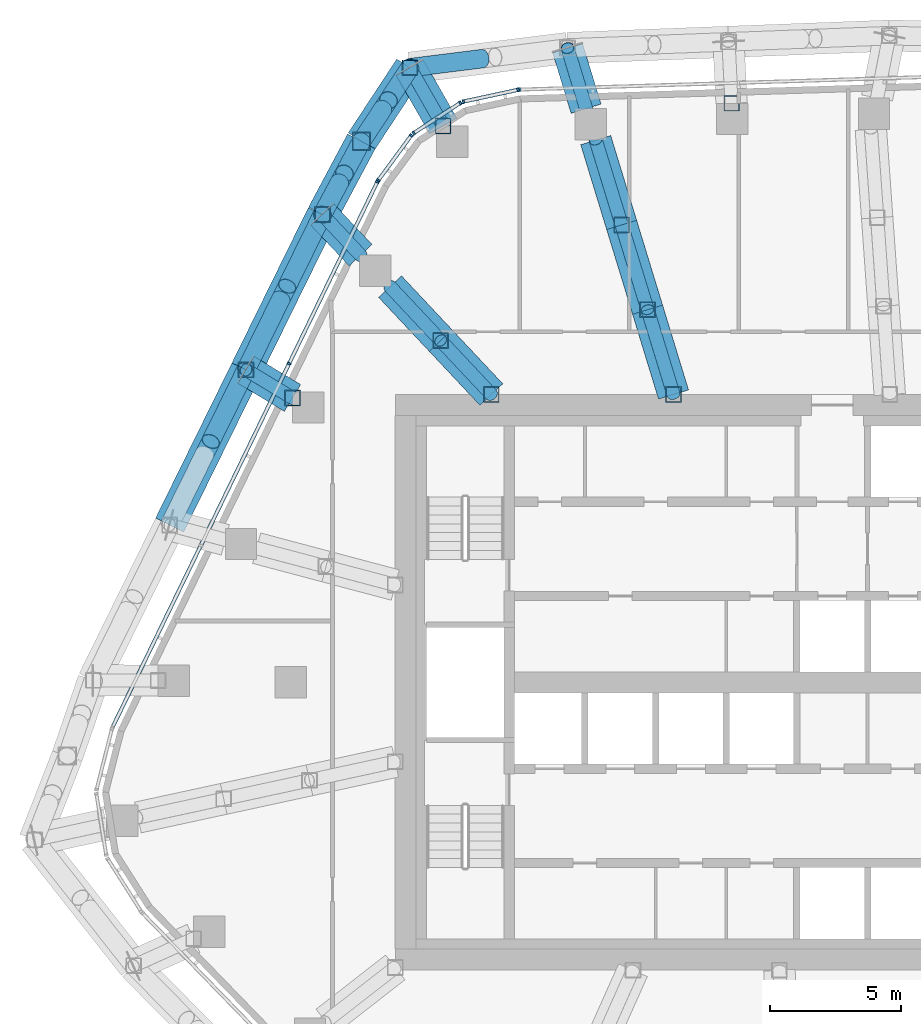
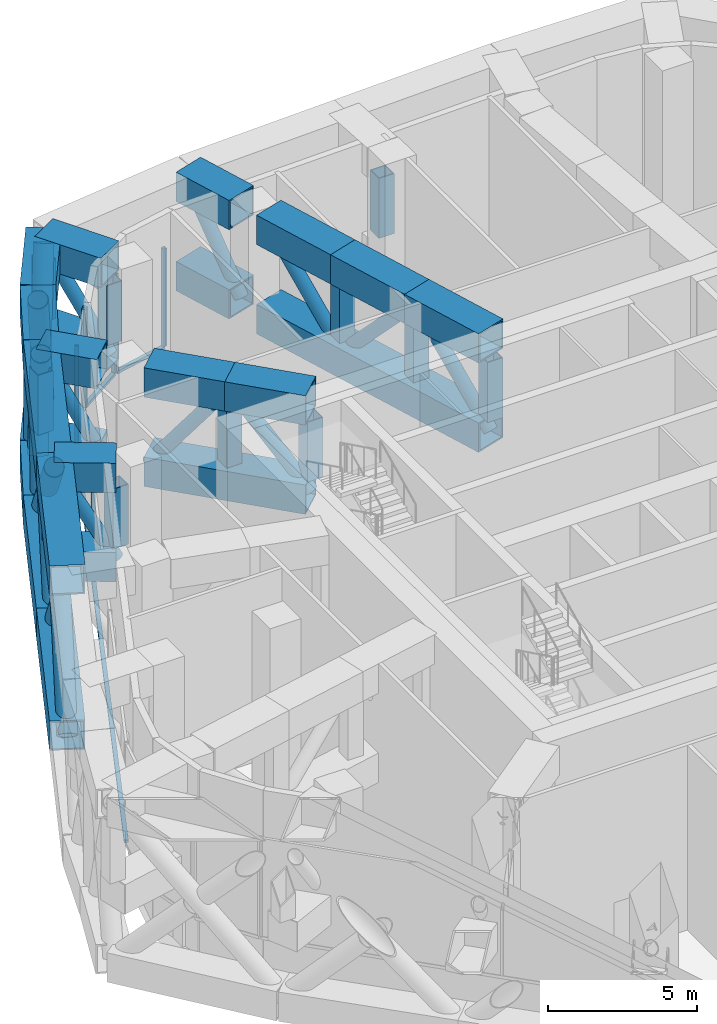
# One storey, part 7 of 21: 69 members, 3 elements without a shape of their own.
"""IFC4 building model written with IfcOpenShell, lengths in metres."""

from ifc_helpers import new_model, si_unit, direction, frame, origin, origin_2d, place, context, subcontext, project, spatial, rectangle, hollow_rectangle, hollow_circle, extrude, material, layer, layer_set, material_profile, profile_set, type_object, element, aggregate, save


model = new_model("IFC4")

# Units and contexts
model_context = context("Model", 3, precision=1e-05, world=origin(), true_north=direction((0.0, 1.0)))
body_context = subcontext(model_context, "Body", "Model", "MODEL_VIEW")
ifc_project = project(units=[si_unit("LENGTHUNIT", "METRE"), si_unit("AREAUNIT", "SQUARE_METRE"), si_unit("VOLUMEUNIT", "CUBIC_METRE"), si_unit("PLANEANGLEUNIT", "RADIAN"), si_unit("MASSUNIT", "GRAM", prefix="KILO")], contexts=[model_context])

# Site, building, storey
site_placement = place(None, origin())
site = spatial("IfcSite", under=ifc_project, at=site_placement, CompositionType="ELEMENT")
building_placement = place(site_placement, origin())
building = spatial("IfcBuilding", under=site, at=building_placement, Name="Dongbaek Canopy Tower", CompositionType="ELEMENT")
storey_placement = place(building_placement, frame((0.0, 0.0, 220.60009765625)))
storey = spatial("IfcBuildingStorey", under=building, at=storey_placement, Name="L46", CompositionType="ELEMENT", Elevation=220.60009765625)

# Members
ifc_material_1 = material(Name="Steel S355", Category="steel")
ifc_material_profile_1 = material_profile(ifc_material_1, hollow_circle(Radius=0.35546875, WallThickness=0.02001953125, at=origin_2d()), Name="BELT BRACE CHS 711.0x20.0 Steel S355")
ifc_profile_set_1 = profile_set([ifc_material_profile_1], Name="Steel S355")
member_type_1 = type_object("IfcMemberType", Name="BELT BRACE CHS 711.0x20.0 Steel S355", PredefinedType="BRACE", material=ifc_profile_set_1)
member_1_placement = place(storey_placement, frame((-22.62109375, 6.010986328125, 0.599853515625), z_axis=(0.318366983259, 0.64719973184, 0.692657903352), x_axis=(-0.89731041201, 0.44140007306, 0.0)))
element("IfcMember", 1, at=member_1_placement, inside=storey, type_object=member_type_1, Name="BELT:L46:10:D0:0", PredefinedType="BRACE", context=body_context, shape_type="SweptSolid", body=[
    extrude(hollow_circle(Radius=0.35546875, WallThickness=0.02001953125, at=origin_2d()), origin(), (0.0, 0.0, 1.0), 9.167724609375),
])
member_2_placement = place(storey_placement, frame((-19.702392578125, 11.9443359375, 0.599853515625), z_axis=(-0.318337535524, -0.647184309477, 0.692685847295), x_axis=(0.897322416913, -0.441375667777, 0.0)))
element("IfcMember", 2, at=member_2_placement, inside=storey, type_object=member_type_1, Name="BELT:L46:10:D0:1", PredefinedType="BRACE", context=body_context, shape_type="SweptSolid", body=[
    extrude(hollow_circle(Radius=0.35546875, WallThickness=0.02001953125, at=origin_2d()), origin(), (0.0, 0.0, 1.0), 4.22802734375),
])
member_3_placement = place(storey_placement, frame((-19.702392578125, 11.9443359375, 0.599853515625), z_axis=(0.318313633086, 0.647226180752, 0.692657709075), x_axis=(-0.897346849999, 0.441325991526, 0.0)))
element("IfcMember", 3, at=member_3_placement, inside=storey, type_object=member_type_1, Name="BELT:L46:11:D0:0", PredefinedType="BRACE", context=body_context, shape_type="SweptSolid", body=[
    extrude(hollow_circle(Radius=0.35546875, WallThickness=0.02001953125, at=origin_2d()), origin(), (0.0, 0.0, 1.0), 9.167724609375),
])
member_4_placement = place(storey_placement, frame((-16.7841796875, 17.8779296875, 0.599853515625), z_axis=(-0.318273747872, -0.647229760503, 0.692672692211), x_axis=(0.897369715509, -0.441279496109, 0.0)))
element("IfcMember", 4, at=member_4_placement, inside=storey, type_object=member_type_1, Name="BELT:L46:11:D0:1", PredefinedType="BRACE", context=body_context, shape_type="SweptSolid", body=[
    extrude(hollow_circle(Radius=0.35546875, WallThickness=0.02001953125, at=origin_2d()), origin(), (0.0, 0.0, 1.0), 4.22802734375),
])
member_5_placement = place(storey_placement, frame((-19.702392578125, 11.9443359375, 6.949951171875), z_axis=(0.318325639256, 0.647217865123, -0.692659961639), x_axis=(-0.897338012092, 0.441343961162, 0.0)))
element("IfcMember", 5, at=member_5_placement, inside=storey, type_object=member_type_1, Name="BELT:L46:11:D0:2", PredefinedType="BRACE", context=body_context, shape_type="SweptSolid", body=[
    extrude(hollow_circle(Radius=0.35546875, WallThickness=0.02001953125, at=origin_2d()), origin(), (0.0, 0.0, 1.0), 4.228271484375),
])
member_6_placement = place(storey_placement, frame((-16.7841796875, 17.8779296875, 0.599853515625), z_axis=(0.210208961175, 0.394103103941, 0.894703825914), x_axis=(-0.882333753904, 0.470624209663, 0.0)))
element("IfcMember", 6, at=member_6_placement, inside=storey, type_object=member_type_1, Name="BELT:L46:12:D0:0", PredefinedType="BRACE", context=body_context, shape_type="SweptSolid", body=[
    extrude(hollow_circle(Radius=0.35546875, WallThickness=0.02001953125, at=origin_2d()), origin(), (0.0, 0.0, 1.0), 7.097412109375),
])
for number, where, z_axis, x_axis, name in (
    (7, (-15.292236328125, 20.675048828125, 0.599853515625), (-0.210165579483, -0.394139116314, 0.894698153676), (0.882391934075, -0.470515116314, 0.0), "BELT:L46:12:D0:1"),
    (8, (-16.7841796875, 17.8779296875, 6.949951171875), (0.210247275349, 0.394066161429, -0.894711095061), (-0.882279807858, 0.470725334612, 0.0), "BELT:L46:12:D0:2"),
):
    element("IfcMember", number, at=place(storey_placement, frame(where, z_axis=z_axis, x_axis=x_axis)), inside=storey, type_object=member_type_1, Name=name, PredefinedType="BRACE", context=body_context, shape_type="SweptSolid", body=[
        extrude(hollow_circle(Radius=0.35546875, WallThickness=0.02001953125, at=origin_2d()), origin(), (0.0, 0.0, 1.0), 3.10400390625),
    ])
member_7_placement = place(storey_placement, frame((-15.292236328125, 20.675048828125, 0.599853515625), z_axis=(0.257337149785, 0.391694516098, 0.883375909452), x_axis=(-0.835766290987, 0.549085336583, 0.0)))
element("IfcMember", 9, at=member_7_placement, inside=storey, type_object=member_type_1, Name="BELT:L46:12:D1:0", PredefinedType="BRACE", context=body_context, shape_type="SweptSolid", body=[
    extrude(hollow_circle(Radius=0.35546875, WallThickness=0.02001953125, at=origin_2d()), origin(), (0.0, 0.0, 1.0), 7.1884765625),
])
for number, where, z_axis, x_axis, name in (
    (10, (-13.4423828125, 23.49072265625, 0.599853515625), (-0.257354837566, -0.391663822039, 0.883384365997), (0.835729222673, -0.54914175435, 0.0), "BELT:L46:12:D1:1"),
    (11, (-15.292236328125, 20.675048828125, 6.949951171875), (0.257347061227, 0.391729129769, -0.883357673294), (-0.835778851926, 0.54906621702, 0.0), "BELT:L46:12:D1:2"),
):
    element("IfcMember", number, at=place(storey_placement, frame(where, z_axis=z_axis, x_axis=x_axis)), inside=storey, type_object=member_type_1, Name=name, PredefinedType="BRACE", context=body_context, shape_type="SweptSolid", body=[
        extrude(hollow_circle(Radius=0.35546875, WallThickness=0.02001953125, at=origin_2d()), origin(), (0.0, 0.0, 1.0), 3.164794921875),
    ])
member_8_placement = place(storey_placement, frame((-13.4423828125, 23.49072265625, 6.949951171875), z_axis=(0.68588996704, 0.085615320286, -0.722651347502), x_axis=(-0.123862477211, 0.992299393701, 0.0)))
element("IfcMember", 12, at=member_8_placement, inside=storey, type_object=member_type_1, Name="BELT:L46:13:D0:2", PredefinedType="BRACE", context=body_context, shape_type="SweptSolid", body=[
    extrude(hollow_circle(Radius=0.35546875, WallThickness=0.02001953125, at=origin_2d()), origin(), (0.0, 0.0, 1.0), 4.037841796875),
])
ifc_material_2 = material(Name="Steel S355", Category="steel")
ifc_material_profile_2 = material_profile(ifc_material_2, hollow_rectangle(XDim=1.199951171875, YDim=1.199951171875, WallThickness=0.06005859375, at=origin_2d()), Name="BELT CHORD BOX 1200x1200x60 Steel S355")
ifc_profile_set_2 = profile_set([ifc_material_profile_2], Name="Steel S355")
member_type_2 = type_object("IfcMemberType", Name="BELT CHORD BOX 1200x1200x60 Steel S355", PredefinedType="CHORD", material=ifc_profile_set_2)
for number, where, z_axis, x_axis, name in (
    (13, (-22.62109375, 6.010986328125, 0.599853515625), (0.44140007306, 0.89731041201, 0.0), (-0.89731041201, 0.44140007306, 0.0), "BELT:L46:10:CB0"),
    (14, (-22.62109375, 6.010986328125, 6.949951171875), (0.44140007306, 0.89731041201, 0.0), (-0.89731041201, 0.44140007306, 0.0), "BELT:L46:10:CT0"),
    (15, (-19.702392578125, 11.9443359375, 0.599853515625), (0.441325991526, 0.897346849999, 0.0), (-0.897346849999, 0.441325991526, 0.0), "BELT:L46:11:CB0"),
    (16, (-19.702392578125, 11.9443359375, 6.949951171875), (0.441325991526, 0.897346849999, 0.0), (-0.897346849999, 0.441325991526, 0.0), "BELT:L46:11:CT0"),
):
    element("IfcMember", number, at=place(storey_placement, frame(where, z_axis=z_axis, x_axis=x_axis)), inside=storey, type_object=member_type_2, Name=name, PredefinedType="CHORD", context=body_context, shape_type="SweptSolid", body=[
        extrude(hollow_rectangle(XDim=1.199951171875, YDim=1.199951171875, WallThickness=0.06005859375, at=origin_2d()), origin(), (0.0, 0.0, 1.0), 6.6123046875),
    ])
for number, where, z_axis, x_axis, name in (
    (17, (-16.7841796875, 17.8779296875, 0.599853515625), (0.470624209663, 0.882333753904, 0.0), (-0.882333753904, 0.470624209663, 0.0), "BELT:L46:12:CB0"),
    (18, (-16.7841796875, 17.8779296875, 6.949951171875), (0.470624209663, 0.882333753904, 0.0), (-0.882333753904, 0.470624209663, 0.0), "BELT:L46:12:CT0"),
):
    element("IfcMember", number, at=place(storey_placement, frame(where, z_axis=z_axis, x_axis=x_axis)), inside=storey, type_object=member_type_2, Name=name, PredefinedType="CHORD", context=body_context, shape_type="SweptSolid", body=[
        extrude(hollow_rectangle(XDim=1.199951171875, YDim=1.199951171875, WallThickness=0.06005859375, at=origin_2d()), origin(), (0.0, 0.0, 1.0), 3.170166015625),
    ])
for number, where, z_axis, x_axis, name in (
    (19, (-15.292236328125, 20.675048828125, 0.599853515625), (0.549085336583, 0.835766290987, 0.0), (-0.835766290987, 0.549085336583, 0.0), "BELT:L46:12:CB1"),
    (20, (-15.292236328125, 20.675048828125, 6.949951171875), (0.549085336583, 0.835766290987, 0.0), (-0.835766290987, 0.549085336583, 0.0), "BELT:L46:12:CT1"),
):
    element("IfcMember", number, at=place(storey_placement, frame(where, z_axis=z_axis, x_axis=x_axis)), inside=storey, type_object=member_type_2, Name=name, PredefinedType="CHORD", context=body_context, shape_type="SweptSolid", body=[
        extrude(hollow_rectangle(XDim=1.199951171875, YDim=1.199951171875, WallThickness=0.06005859375, at=origin_2d()), origin(), (0.0, 0.0, 1.0), 3.368896484375),
    ])
ifc_material_3 = material(Name="Steel S355", Category="steel")
ifc_material_profile_3 = material_profile(ifc_material_3, hollow_rectangle(XDim=0.699951171875, YDim=0.699951171875, WallThickness=0.035888671875, at=origin_2d()), Name="BELT POST BOX 700x700x36 Steel S355")
ifc_profile_set_3 = profile_set([ifc_material_profile_3], Name="Steel S355")
member_type_3 = type_object("IfcMemberType", Name="BELT POST BOX 700x700x36 Steel S355", PredefinedType="POST", material=ifc_profile_set_3)
member_9_placement = place(storey_placement, frame((-15.292236328125, 20.675048828125, 1.199951171875), z_axis=(0.0, 0.0, 1.0), x_axis=(1.0, 0.0, 0.0)))
element("IfcMember", 21, at=member_9_placement, inside=storey, type_object=member_type_3, Name="BELT:L46:12:P1", PredefinedType="POST", context=body_context, shape_type="SweptSolid", body=[
    extrude(hollow_rectangle(XDim=0.699951171875, YDim=0.699951171875, WallThickness=0.035888671875, at=origin_2d()), origin(), (0.0, 0.0, 1.0), 5.14990234375),
])
ifc_material_4 = material(Name="Steel S355", Category="steel")
ifc_material_profile_4 = material_profile(ifc_material_4, hollow_circle(Radius=0.25390625, WallThickness=0.01611328125, at=origin_2d()), Name="BRACE CHS 508.0x16.0 Steel S355")
ifc_profile_set_4 = profile_set([ifc_material_profile_4], Name="Steel S355")
member_type_4 = type_object("IfcMemberType", Name="BRACE CHS 508.0x16.0 Steel S355", PredefinedType="BRACE", material=ifc_profile_set_4)
member_10_placement = place(storey_placement, frame((-17.927978515625, 10.86865234375, 3.2998046875), z_axis=(-0.422608810918, 0.256193508655, 0.869348422129), x_axis=(-0.518400801287, -0.855137772073, 0.0)))
element("IfcMember", 22, at=member_10_placement, inside=storey, type_object=member_type_4, Name="TRUSS:L46:11:D0", PredefinedType="BRACE", context=body_context, shape_type="SweptSolid", body=[
    extrude(hollow_circle(Radius=0.25390625, WallThickness=0.01611328125, at=origin_2d()), origin(), (0.0, 0.0, 1.0), 4.19873046875),
])
member_11_placement = place(storey_placement, frame((-12.166259765625, 21.260986328125, 3.2998046875), z_axis=(-0.285895056172, 0.499536932852, 0.817757219212), x_axis=(-0.867909609925, -0.496722164796, 0.0)))
element("IfcMember", 23, at=member_11_placement, inside=storey, type_object=member_type_4, Name="TRUSS:L46:13:D0", PredefinedType="BRACE", context=body_context, shape_type="SweptSolid", body=[
    extrude(hollow_circle(Radius=0.25390625, WallThickness=0.01611328125, at=origin_2d()), origin(), (0.0, 0.0, 1.0), 4.463623046875),
])
ifc_material_5 = material(Name="Steel S355", Category="steel")
ifc_material_profile_5 = material_profile(ifc_material_5, hollow_rectangle(XDim=1.199951171875, YDim=1.199951171875, WallThickness=0.06005859375, at=origin_2d()), Name="CHORD BOX 1200x1200x60 Steel S355")
ifc_profile_set_5 = profile_set([ifc_material_profile_5], Name="Steel S355")
member_type_5 = type_object("IfcMemberType", Name="CHORD BOX 1200x1200x60 Steel S355", PredefinedType="CHORD", material=ifc_profile_set_5)
for number, where, z_axis, x_axis, name in (
    (24, (-17.927978515625, 10.86865234375, 3.2998046875), (-0.855137772073, 0.518400801287, 0.0), (-0.518400801287, -0.855137772073, 0.0), "TRUSS:L46:11:CB"),
    (25, (-17.927978515625, 10.86865234375, 6.949951171875), (-0.855137772073, 0.518400801287, 0.0), (-0.518400801287, -0.855137772073, 0.0), "TRUSS:L46:11:CT0"),
):
    element("IfcMember", number, at=place(storey_placement, frame(where, z_axis=z_axis, x_axis=x_axis)), inside=storey, type_object=member_type_5, Name=name, PredefinedType="CHORD", context=body_context, shape_type="SweptSolid", body=[
        extrude(hollow_rectangle(XDim=1.199951171875, YDim=1.199951171875, WallThickness=0.06005859375, at=origin_2d()), origin(), (0.0, 0.0, 1.0), 2.074951171875),
    ])
for number, where, z_axis, x_axis, name in (
    (26, (-12.166259765625, 21.260986328125, 3.2998046875), (-0.496722164796, 0.867909609925, 0.0), (-0.867909609925, -0.496722164796, 0.0), "TRUSS:L46:13:CB"),
    (27, (-12.166259765625, 21.260986328125, 6.949951171875), (-0.496722164796, 0.867909609925, 0.0), (-0.867909609925, -0.496722164796, 0.0), "TRUSS:L46:13:CT0"),
):
    element("IfcMember", number, at=place(storey_placement, frame(where, z_axis=z_axis, x_axis=x_axis)), inside=storey, type_object=member_type_5, Name=name, PredefinedType="CHORD", context=body_context, shape_type="SweptSolid", body=[
        extrude(hollow_rectangle(XDim=1.199951171875, YDim=1.199951171875, WallThickness=0.06005859375, at=origin_2d()), origin(), (0.0, 0.0, 1.0), 2.569091796875),
    ])

# Curtain wall, member
ifc_material_6 = material(Name="Aluminium 6063-T6 pale anodised", Category="aluminium")
ifc_layer = layer(ifc_material_6, 0.14990234375)
ifc_layer_set = layer_set([ifc_layer], Name="CW-7 louvre curtain wall")
curtain_wall_type = type_object("IfcCurtainWallType", Name="CW-7 louvre curtain wall", PredefinedType="NOTDEFINED", material=ifc_layer_set)
curtain_wall_1_placement = place(storey_placement, origin())
curtain_wall_1 = element("IfcCurtainWall", 28, at=curtain_wall_1_placement, inside=storey, type_object=curtain_wall_type, Name="CW-7 louvre wall L46 F1", PredefinedType="NOTDEFINED")
ifc_material_7 = material(Name="Aluminium 6063-T6 pale anodised", Category="aluminium")
ifc_material_profile_6 = material_profile(ifc_material_7, rectangle(XDim=0.14990234375, YDim=0.080078125, at=origin_2d()), Name="CW-7 mullion 80 x 150")
ifc_profile_set_6 = profile_set([ifc_material_profile_6], Name="Aluminium 6063-T6 pale anodised")
member_type_6 = type_object("IfcMemberType", Name="CW-7 mullion 80 x 150", PredefinedType="MULLION", material=ifc_profile_set_6)
member_12_placement = place(storey_placement, frame((-9.241943359375, 22.654052734375, 1.77490234375), z_axis=(0.0, 0.0, 1.0), x_axis=(-0.030965102792, 0.999520466228, 0.0)))
member_12 = element("IfcMember", 29, at=member_12_placement, type_object=member_type_6, Name="CW-7 mullion L46 F1.1.3", PredefinedType="MULLION", context=body_context, shape_type="SweptSolid", body=[
    extrude(rectangle(XDim=0.14990234375, YDim=0.080078125, at=origin_2d()), origin(), (0.0, 0.0, 1.0), 4.0),
])
aggregate(curtain_wall_1, [member_12])

# Curtain wall, members
curtain_wall_2_placement = place(storey_placement, origin())
curtain_wall_2 = element("IfcCurtainWall", 30, at=curtain_wall_2_placement, inside=storey, type_object=curtain_wall_type, Name="CW-7 louvre wall L46 K2", PredefinedType="NOTDEFINED")
member_13_placement = place(storey_placement, frame((-9.3046875, 22.646484375, 1.77490234375), z_axis=(0.0, 0.0, 1.0), x_axis=(-0.210683536046, 0.977554319534, 0.0)))
member_13 = element("IfcMember", 31, at=member_13_placement, type_object=member_type_6, Name="CW-7 mullion L46 K2.1.1", PredefinedType="MULLION", context=body_context, shape_type="SweptSolid", body=[
    extrude(rectangle(XDim=0.14990234375, YDim=0.080078125, at=origin_2d()), origin(), (0.0, 0.0, 1.0), 4.0),
])
member_14_placement = place(storey_placement, frame((-11.39306640625, 22.1962890625, 1.77490234375), z_axis=(0.0, 0.0, 1.0), x_axis=(-0.210683536046, 0.977554319534, 0.0)))
member_14 = element("IfcMember", 32, at=member_14_placement, type_object=member_type_6, Name="CW-7 mullion L46 K2.1.2", PredefinedType="MULLION", context=body_context, shape_type="SweptSolid", body=[
    extrude(rectangle(XDim=0.14990234375, YDim=0.080078125, at=origin_2d()), origin(), (0.0, 0.0, 1.0), 4.0),
])
member_15_placement = place(storey_placement, frame((-11.509765625, 22.14794921875, 1.77490234375), z_axis=(0.0, 0.0, 1.0), x_axis=(-0.543736019831, 0.839256302174, 0.0)))
member_15 = element("IfcMember", 33, at=member_15_placement, type_object=member_type_6, Name="CW-7 mullion L46 K2.2.1", PredefinedType="MULLION", context=body_context, shape_type="SweptSolid", body=[
    extrude(rectangle(XDim=0.14990234375, YDim=0.080078125, at=origin_2d()), origin(), (0.0, 0.0, 1.0), 4.0),
])
member_16_placement = place(storey_placement, frame((-13.294921875, 20.991455078125, 1.77490234375), z_axis=(0.0, 0.0, 1.0), x_axis=(-0.543736019831, 0.839256302174, 0.0)))
member_16 = element("IfcMember", 34, at=member_16_placement, type_object=member_type_6, Name="CW-7 mullion L46 K2.2.2", PredefinedType="MULLION", context=body_context, shape_type="SweptSolid", body=[
    extrude(rectangle(XDim=0.14990234375, YDim=0.080078125, at=origin_2d()), origin(), (0.0, 0.0, 1.0), 4.0),
])
member_17_placement = place(storey_placement, frame((-13.38671875, 20.90478515625, 1.77490234375), z_axis=(0.0, 0.0, 1.0), x_axis=(-0.806075471898, 0.591812752147, 0.0)))
member_17 = element("IfcMember", 35, at=member_17_placement, type_object=member_type_6, Name="CW-7 mullion L46 K2.3.1", PredefinedType="MULLION", context=body_context, shape_type="SweptSolid", body=[
    extrude(rectangle(XDim=0.14990234375, YDim=0.080078125, at=origin_2d()), origin(), (0.0, 0.0, 1.0), 4.0),
])
member_18_placement = place(storey_placement, frame((-14.651123046875, 19.1826171875, 1.77490234375), z_axis=(0.0, 0.0, 1.0), x_axis=(-0.806075471898, 0.591812752147, 0.0)))
member_18 = element("IfcMember", 36, at=member_18_placement, type_object=member_type_6, Name="CW-7 mullion L46 K2.3.2", PredefinedType="MULLION", context=body_context, shape_type="SweptSolid", body=[
    extrude(rectangle(XDim=0.14990234375, YDim=0.080078125, at=origin_2d()), origin(), (0.0, 0.0, 1.0), 4.0),
])

curtain_wall_3_placement = place(storey_placement, origin())
curtain_wall_3 = element("IfcCurtainWall", 37, at=curtain_wall_3_placement, inside=storey, type_object=curtain_wall_type, Name="CW-7 louvre wall L46 F2", PredefinedType="NOTDEFINED")
member_19_placement = place(storey_placement, frame((-14.683837890625, 19.12841796875, 1.77490234375), z_axis=(0.0, 0.0, 1.0), x_axis=(-0.899574599552, 0.436767146018, 0.0)))
member_19 = element("IfcMember", 38, at=member_19_placement, type_object=member_type_6, Name="CW-7 mullion L46 F2.1.1", PredefinedType="MULLION", context=body_context, shape_type="SweptSolid", body=[
    extrude(rectangle(XDim=0.14990234375, YDim=0.080078125, at=origin_2d()), origin(), (0.0, 0.0, 1.0), 4.0),
])
member_20_placement = place(storey_placement, frame((-18.05712890625, 12.180419921875, 1.77490234375), z_axis=(0.0, 0.0, 1.0), x_axis=(-0.899574599552, 0.436767146018, 0.0)))
member_20 = element("IfcMember", 39, at=member_20_placement, type_object=member_type_6, Name="CW-7 mullion L46 F2.1.2", PredefinedType="MULLION", context=body_context, shape_type="SweptSolid", body=[
    extrude(rectangle(XDim=0.14990234375, YDim=0.080078125, at=origin_2d()), origin(), (0.0, 0.0, 1.0), 4.0),
])

# Member
ifc_material_8 = material(Name="Aluminium 6063-T6 pale anodised", Category="aluminium")
ifc_material_profile_7 = material_profile(ifc_material_8, rectangle(XDim=0.14990234375, YDim=0.1201171875, at=origin_2d()), Name="CW-7 transom 120 x 150")
ifc_profile_set_7 = profile_set([ifc_material_profile_7], Name="Aluminium 6063-T6 pale anodised")
member_type_7 = type_object("IfcMemberType", Name="CW-7 transom 120 x 150", PredefinedType="USERDEFINED", material=ifc_profile_set_7)
member_21_placement = place(storey_placement, frame((-9.3046875, 22.646484375, 1.71484375), z_axis=(-0.977544129164, -0.210730812974, 0.0), x_axis=(0.210730812974, -0.977544129164, 0.0)))
member_21 = element("IfcMember", 40, at=member_21_placement, type_object=member_type_7, Name="CW-7 transom L46 K2.1", ObjectType="TRANSOM", PredefinedType="USERDEFINED", context=body_context, shape_type="SweptSolid", body=[
    extrude(rectangle(XDim=0.14990234375, YDim=0.1201171875, at=origin_2d()), origin(), (0.0, 0.0, 1.0), 2.136474609375),
])

member_22_placement = place(storey_placement, frame((-11.509765625, 22.14794921875, 1.71484375), z_axis=(-0.839271322298, -0.543712835575, 0.0), x_axis=(0.543712835575, -0.839271322298, 0.0)))
member_22 = element("IfcMember", 41, at=member_22_placement, type_object=member_type_7, Name="CW-7 transom L46 K2.2", ObjectType="TRANSOM", PredefinedType="USERDEFINED", context=body_context, shape_type="SweptSolid", body=[
    extrude(rectangle(XDim=0.14990234375, YDim=0.1201171875, at=origin_2d()), origin(), (0.0, 0.0, 1.0), 2.126953125),
])

member_23_placement = place(storey_placement, frame((-13.38671875, 20.90478515625, 1.71484375), z_axis=(-0.591814383936, -0.806074273853, 0.0), x_axis=(0.806074273853, -0.591814383936, 0.0)))
member_23 = element("IfcMember", 42, at=member_23_placement, type_object=member_type_7, Name="CW-7 transom L46 K2.3", ObjectType="TRANSOM", PredefinedType="USERDEFINED", context=body_context, shape_type="SweptSolid", body=[
    extrude(rectangle(XDim=0.14990234375, YDim=0.1201171875, at=origin_2d()), origin(), (0.0, 0.0, 1.0), 2.136474609375),
])

aggregate(curtain_wall_2, [member_21, member_13, member_14, member_22, member_15, member_16, member_23, member_17, member_18])

member_24_placement = place(storey_placement, frame((-14.683837890625, 19.12841796875, 1.71484375), z_axis=(-0.436764875806, -0.899575701796, 0.0), x_axis=(0.899575701796, -0.436764875806, 0.0)))
member_24 = element("IfcMember", 43, at=member_24_placement, type_object=member_type_7, Name="CW-7 transom L46 F2.1", ObjectType="TRANSOM", PredefinedType="USERDEFINED", context=body_context, shape_type="SweptSolid", body=[
    extrude(rectangle(XDim=0.14990234375, YDim=0.1201171875, at=origin_2d()), origin(), (0.0, 0.0, 1.0), 23.171142578125),
])

aggregate(curtain_wall_3, [member_24, member_19, member_20])

# Members
ifc_material_9 = material(Name="Steel S355", Category="steel")
ifc_material_profile_8 = material_profile(ifc_material_9, hollow_circle(Radius=0.25390625, WallThickness=0.01611328125, at=origin_2d()), Name="OUTRIGGER BRACE CHS 508.0x16.0 Steel S355")
ifc_profile_set_8 = profile_set([ifc_material_profile_8], Name="Steel S355")
member_type_8 = type_object("IfcMemberType", Name="OUTRIGGER BRACE CHS 508.0x16.0 Steel S355", PredefinedType="BRACE", material=ifc_profile_set_8)
for number, where, z_axis, x_axis, name in (
    (44, (-10.326904296875, 11.0, 3.2998046875), (-0.419258639232, 0.44653952925, 0.790458501281), (-0.729025563972, -0.684486469607, 0.0), "TRUSS:L46:12:D0"),
    (45, (-12.262939453125, 13.06201171875, 6.949951171875), (-0.419215061203, 0.44654942703, -0.790476022204), (-0.729068637497, -0.684440590423, 0.0), "TRUSS:L46:12:D1"),
):
    element("IfcMember", number, at=place(storey_placement, frame(where, z_axis=z_axis, x_axis=x_axis)), inside=storey, type_object=member_type_8, Name=name, PredefinedType="BRACE", context=body_context, shape_type="SweptSolid", body=[
        extrude(hollow_circle(Radius=0.25390625, WallThickness=0.01611328125, at=origin_2d()), origin(), (0.0, 0.0, 1.0), 4.61767578125),
    ])
member_25_placement = place(storey_placement, frame((-15.3251953125, 16.323974609375, 3.2998046875), z_axis=(-0.345163648707, 0.367631630526, 0.863544463156), x_axis=(-0.729033373211, -0.684478152131, 0.0)))
element("IfcMember", 46, at=member_25_placement, inside=storey, type_object=member_type_8, Name="TRUSS:L46:12s:D0", PredefinedType="BRACE", context=body_context, shape_type="SweptSolid", body=[
    extrude(hollow_circle(Radius=0.25390625, WallThickness=0.01611328125, at=origin_2d()), origin(), (0.0, 0.0, 1.0), 4.22705078125),
])
for number, where, z_axis, x_axis, name in (
    (47, (-3.364501953125, 11.0, 3.2998046875), (-0.199047165846, 0.650665138293, 0.7328131437), (-0.956255897691, -0.292531465199, 0.0), "TRUSS:L46:14:D0"),
    (48, (-4.35595703125, 14.240966796875, 6.949951171875), (-0.199000092771, 0.650671485599, -0.732820292368), (-0.956276046369, -0.292465593089, 0.0), "TRUSS:L46:14:D1"),
    (49, (-5.34716796875, 17.48193359375, 3.2998046875), (-0.199000092771, 0.650671485599, 0.732820292368), (-0.956276046369, -0.292465593089, 0.0), "TRUSS:L46:14:D2"),
):
    element("IfcMember", number, at=place(storey_placement, frame(where, z_axis=z_axis, x_axis=x_axis)), inside=storey, type_object=member_type_8, Name=name, PredefinedType="BRACE", context=body_context, shape_type="SweptSolid", body=[
        extrude(hollow_circle(Radius=0.25390625, WallThickness=0.01611328125, at=origin_2d()), origin(), (0.0, 0.0, 1.0), 4.98095703125),
    ])
member_26_placement = place(storey_placement, frame((-6.70556640625, 21.923095703125, 3.2998046875), z_axis=(-0.161878390271, 0.529307799157, 0.832843707135), x_axis=(-0.956278103015, -0.292458868381, 0.0)))
element("IfcMember", 50, at=member_26_placement, inside=storey, type_object=member_type_8, Name="TRUSS:L46:14s:D0", PredefinedType="BRACE", context=body_context, shape_type="SweptSolid", body=[
    extrude(hollow_circle(Radius=0.25390625, WallThickness=0.01611328125, at=origin_2d()), origin(), (0.0, 0.0, 1.0), 4.3828125),
])
ifc_material_10 = material(Name="Steel S355", Category="steel")
ifc_material_profile_9 = material_profile(ifc_material_10, hollow_rectangle(XDim=1.199951171875, YDim=1.199951171875, WallThickness=0.06005859375, at=origin_2d()), Name="OUTRIGGER CHORD BOX 1200x1200x60 Steel S355")
ifc_profile_set_9 = profile_set([ifc_material_profile_9], Name="Steel S355")
member_type_9 = type_object("IfcMemberType", Name="OUTRIGGER CHORD BOX 1200x1200x60 Steel S355", PredefinedType="CHORD", material=ifc_profile_set_9)
member_27_placement = place(storey_placement, frame((-10.326904296875, 11.0, 3.2998046875), z_axis=(-0.684463531031, 0.729047100459, 0.0), x_axis=(-0.729047100459, -0.684463531031, 0.0)))
element("IfcMember", 51, at=member_27_placement, inside=storey, type_object=member_type_9, Name="TRUSS:L46:12:CB", PredefinedType="CHORD", context=body_context, shape_type="SweptSolid", body=[
    extrude(hollow_rectangle(XDim=1.199951171875, YDim=1.199951171875, WallThickness=0.06005859375, at=origin_2d()), origin(), (0.0, 0.0, 1.0), 5.65673828125),
])
for number, where, z_axis, x_axis, name in (
    (52, (-10.326904296875, 11.0, 6.949951171875), (-0.684486469607, 0.729025563972, 0.0), (-0.729025563972, -0.684486469607, 0.0), "TRUSS:L46:12:CT0"),
    (53, (-12.262939453125, 13.06201171875, 6.949951171875), (-0.684440590423, 0.729068637497, 0.0), (-0.729068637497, -0.684440590423, 0.0), "TRUSS:L46:12:CT1"),
):
    element("IfcMember", number, at=place(storey_placement, frame(where, z_axis=z_axis, x_axis=x_axis)), inside=storey, type_object=member_type_9, Name=name, PredefinedType="CHORD", context=body_context, shape_type="SweptSolid", body=[
        extrude(hollow_rectangle(XDim=1.199951171875, YDim=1.199951171875, WallThickness=0.06005859375, at=origin_2d()), origin(), (0.0, 0.0, 1.0), 2.828369140625),
    ])
for number, where, z_axis, x_axis, name in (
    (54, (-15.3251953125, 16.323974609375, 3.2998046875), (-0.684478152131, 0.729033373211, 0.0), (-0.729033373211, -0.684478152131, 0.0), "TRUSS:L46:12s:CB"),
    (55, (-15.3251953125, 16.323974609375, 6.949951171875), (-0.684478152131, 0.729033373211, 0.0), (-0.729033373211, -0.684478152131, 0.0), "TRUSS:L46:12s:CT0"),
):
    element("IfcMember", number, at=place(storey_placement, frame(where, z_axis=z_axis, x_axis=x_axis)), inside=storey, type_object=member_type_9, Name=name, PredefinedType="CHORD", context=body_context, shape_type="SweptSolid", body=[
        extrude(hollow_rectangle(XDim=1.199951171875, YDim=1.199951171875, WallThickness=0.06005859375, at=origin_2d()), origin(), (0.0, 0.0, 1.0), 2.131591796875),
    ])
member_28_placement = place(storey_placement, frame((-3.364501953125, 11.0, 3.2998046875), z_axis=(-0.292487550922, 0.956269330553, 0.0), x_axis=(-0.956269330553, -0.292487550922, 0.0)))
element("IfcMember", 56, at=member_28_placement, inside=storey, type_object=member_type_9, Name="TRUSS:L46:14:CB", PredefinedType="CHORD", context=body_context, shape_type="SweptSolid", body=[
    extrude(hollow_rectangle(XDim=1.199951171875, YDim=1.199951171875, WallThickness=0.06005859375, at=origin_2d()), origin(), (0.0, 0.0, 1.0), 10.16748046875),
])
for number, where, z_axis, x_axis, name in (
    (57, (-3.364501953125, 11.0, 6.949951171875), (-0.292531465199, 0.956255897691, 0.0), (-0.956255897691, -0.292531465199, 0.0), "TRUSS:L46:14:CT0"),
    (58, (-4.35595703125, 14.240966796875, 6.949951171875), (-0.292465593089, 0.956276046369, 0.0), (-0.956276046369, -0.292465593089, 0.0), "TRUSS:L46:14:CT1"),
    (59, (-5.34716796875, 17.48193359375, 6.949951171875), (-0.292465593089, 0.956276046369, 0.0), (-0.956276046369, -0.292465593089, 0.0), "TRUSS:L46:14:CT2"),
):
    element("IfcMember", number, at=place(storey_placement, frame(where, z_axis=z_axis, x_axis=x_axis)), inside=storey, type_object=member_type_9, Name=name, PredefinedType="CHORD", context=body_context, shape_type="SweptSolid", body=[
        extrude(hollow_rectangle(XDim=1.199951171875, YDim=1.199951171875, WallThickness=0.06005859375, at=origin_2d()), origin(), (0.0, 0.0, 1.0), 3.38916015625),
    ])
for number, where, z_axis, x_axis, name in (
    (60, (-6.70556640625, 21.923095703125, 3.2998046875), (-0.292458868381, 0.956278103015, 0.0), (-0.956278103015, -0.292458868381, 0.0), "TRUSS:L46:14s:CB"),
    (61, (-6.70556640625, 21.923095703125, 6.949951171875), (-0.292458868381, 0.956278103015, 0.0), (-0.956278103015, -0.292458868381, 0.0), "TRUSS:L46:14s:CT0"),
):
    element("IfcMember", number, at=place(storey_placement, frame(where, z_axis=z_axis, x_axis=x_axis)), inside=storey, type_object=member_type_9, Name=name, PredefinedType="CHORD", context=body_context, shape_type="SweptSolid", body=[
        extrude(hollow_rectangle(XDim=1.199951171875, YDim=1.199951171875, WallThickness=0.06005859375, at=origin_2d()), origin(), (0.0, 0.0, 1.0), 2.42578125),
    ])
ifc_material_11 = material(Name="Steel S355", Category="steel")
ifc_material_profile_10 = material_profile(ifc_material_11, hollow_rectangle(XDim=0.60009765625, YDim=0.60009765625, WallThickness=0.031982421875, at=origin_2d()), Name="OUTRIGGER POST BOX 600x600x32 Steel S355")
ifc_profile_set_10 = profile_set([ifc_material_profile_10], Name="Steel S355")
member_type_10 = type_object("IfcMemberType", Name="OUTRIGGER POST BOX 600x600x32 Steel S355", PredefinedType="POST", material=ifc_profile_set_10)
for number, where, z_axis, x_axis, name in (
    (62, (-10.326904296875, 11.0, 3.89990234375), (0.0, 0.0, 1.0), (1.0, 0.0, 0.0), "TRUSS:L46:12:P0"),
    (63, (-12.262939453125, 13.06201171875, 3.89990234375), (0.0, 0.0, 1.0), (1.0, 0.0, 0.0), "TRUSS:L46:12:P1"),
    (64, (-16.7841796875, 17.8779296875, 3.89990234375), (0.0, 0.0, 1.0), (1.0, 0.0, 0.0), "TRUSS:L46:12s:P1"),
    (65, (-3.364501953125, 11.0, 3.89990234375), (0.0, 0.0, 1.0), (1.0, 0.0, 0.0), "TRUSS:L46:14:P0"),
    (66, (-4.35595703125, 14.240966796875, 3.89990234375), (0.0, 0.0, 1.0), (1.0, 0.0, 0.0), "TRUSS:L46:14:P1"),
    (67, (-5.34716796875, 17.48193359375, 3.89990234375), (0.0, 0.0, 1.0), (1.0, 0.0, 0.0), "TRUSS:L46:14:P2"),
):
    element("IfcMember", number, at=place(storey_placement, frame(where, z_axis=z_axis, x_axis=x_axis)), inside=storey, type_object=member_type_10, Name=name, PredefinedType="POST", context=body_context, shape_type="SweptSolid", body=[
        extrude(hollow_rectangle(XDim=0.60009765625, YDim=0.60009765625, WallThickness=0.031982421875, at=origin_2d()), origin(), (0.0, 0.0, 1.0), 2.449951171875),
    ])
ifc_material_12 = material(Name="Steel S355", Category="steel")
ifc_material_profile_11 = material_profile(ifc_material_12, hollow_rectangle(XDim=0.60009765625, YDim=0.60009765625, WallThickness=0.031982421875, at=origin_2d()), Name="POST BOX 600x600x32 Steel S355")
ifc_profile_set_11 = profile_set([ifc_material_profile_11], Name="Steel S355")
member_type_11 = type_object("IfcMemberType", Name="POST BOX 600x600x32 Steel S355", PredefinedType="POST", material=ifc_profile_set_11)
for number, where, z_axis, x_axis, name in (
    (68, (-17.927978515625, 10.86865234375, 3.89990234375), (0.0, 0.0, 1.0), (1.0, 0.0, 0.0), "TRUSS:L46:11:P0"),
    (69, (-19.702392578125, 11.9443359375, 3.89990234375), (0.0, 0.0, 1.0), (1.0, 0.0, 0.0), "TRUSS:L46:11:P1"),
    (70, (-12.166259765625, 21.260986328125, 3.89990234375), (0.0, 0.0, 1.0), (1.0, 0.0, 0.0), "TRUSS:L46:13:P0"),
    (71, (-13.4423828125, 23.49072265625, 3.89990234375), (0.0, 0.0, 1.0), (1.0, 0.0, 0.0), "TRUSS:L46:13:P1"),
    (72, (-1.14404296875, 22.1298828125, 3.89990234375), (0.0, 0.0, 1.0), (1.0, 0.0, 0.0), "TRUSS:L46:15:P0"),
):
    element("IfcMember", number, at=place(storey_placement, frame(where, z_axis=z_axis, x_axis=x_axis)), inside=storey, type_object=member_type_11, Name=name, PredefinedType="POST", context=body_context, shape_type="SweptSolid", body=[
        extrude(hollow_rectangle(XDim=0.60009765625, YDim=0.60009765625, WallThickness=0.031982421875, at=origin_2d()), origin(), (0.0, 0.0, 1.0), 2.449951171875),
    ])

save(model, "model.ifc")
